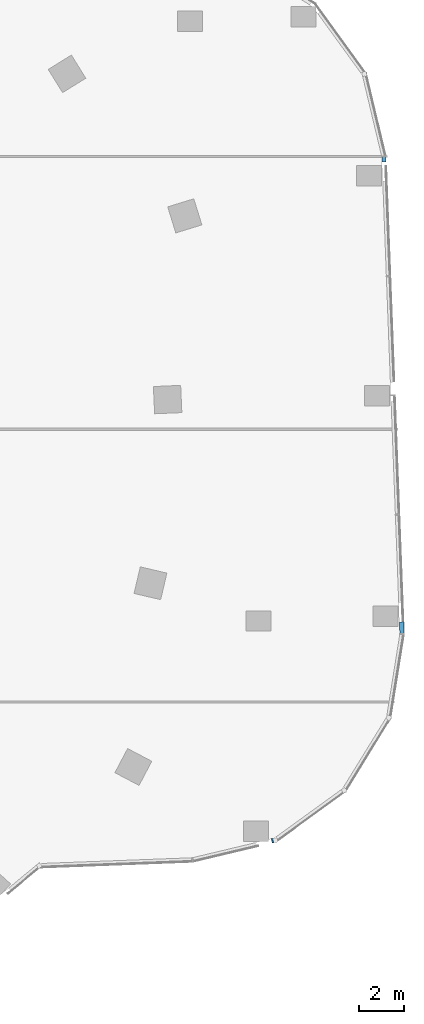
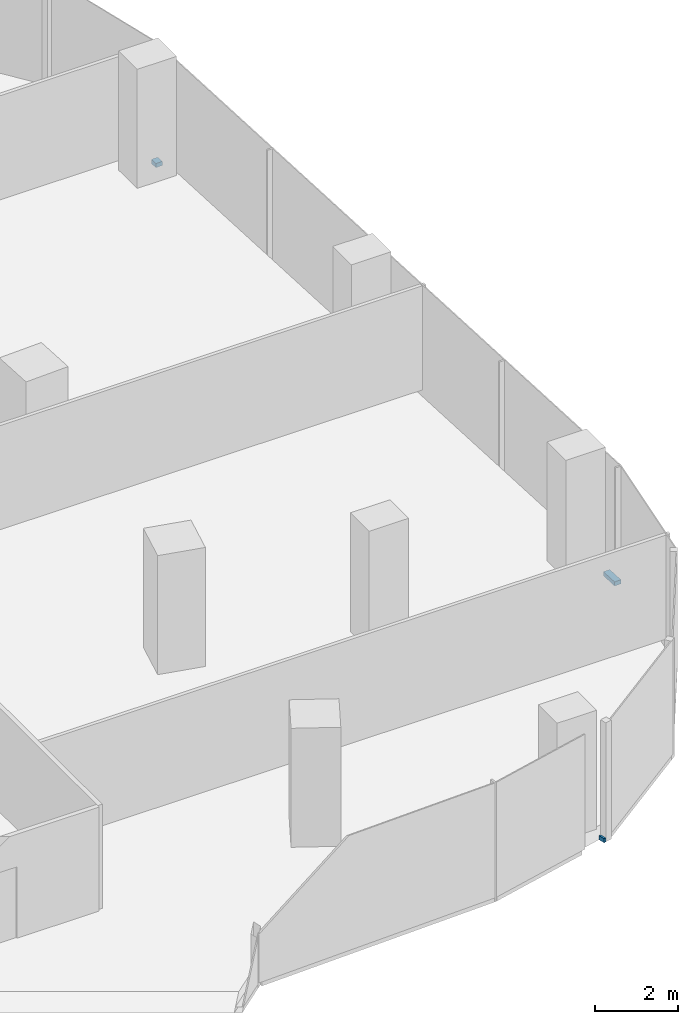
# One storey, part 13 of 24: 3 members, 2 elements without a shape of their own.
"""IFC4 building model written with IfcOpenShell, lengths in metres."""

import ifcopenshell
import ifcopenshell.guid

model = None  # the IFC model being written
_history = None  # IfcOwnerHistory: only IFC2X3 demands one
_inside = {}  # id of a spatial element -> (the spatial element, [elements in it])
_under = {}  # id of a project, library or spatial element -> (it, [spatial elements below it])
_declared = {}  # id of a project -> (the project, [libraries it declares])
_typed = {}  # id of a type object -> (the type object, [elements of that type])
_made_of = {}  # id of a material, layer set ... -> (it, [elements and type objects made of it])


def new_model(schema):
    """Start an empty IFC model of exactly this schema.

    Asked for "IFC4X3", IfcOpenShell would pick the latest addendum, in which some entities
    have other attributes; the version numbers below select the first issue.
    IFC2X3 requires an IfcOwnerHistory on every rooted entity: one is made here for all.
    """
    global model, _history
    if schema == "IFC4X3":
        model = ifcopenshell.file(schema_version=(4, 3, 0, 0))
    else:
        model = ifcopenshell.file(schema=schema)
    _inside.clear()
    _under.clear()
    _declared.clear()
    _typed.clear()
    _made_of.clear()
    _history = None
    if model.schema == "IFC2X3":
        org = make("IfcOrganization", Name="unknown")
        user = make(
            "IfcPersonAndOrganization",
            ThePerson=make("IfcPerson", FamilyName="unknown"),
            TheOrganization=org,
        )
        app = make(
            "IfcApplication",
            ApplicationDeveloper=org,
            Version="unknown",
            ApplicationFullName="unknown",
            ApplicationIdentifier="unknown",
        )
        _history = make(
            "IfcOwnerHistory",
            OwningUser=user,
            OwningApplication=app,
            ChangeAction="ADDED",
            CreationDate=0,
        )
    return model


def make(cls, **values):
    """One entity of the class cls with the attributes given. An attribute that is None is left unset."""
    return model.create_entity(
        cls, **{name: value for name, value in values.items() if value is not None}
    )


def rooted(cls, **values):
    """An entity with a GlobalId (a new one), such as an element, a storey or a relation."""
    return make(cls, GlobalId=ifcopenshell.guid.new(), OwnerHistory=_history, **values)


def si_unit(unit_type, name, prefix=None):
    """IfcSIUnit, for example si_unit("LENGTHUNIT", "METRE", prefix="MILLI")."""
    return make("IfcSIUnit", UnitType=unit_type, Prefix=prefix, Name=name)


def assignment(units):
    """IfcUnitAssignment: the units of a project."""
    return None if units is None else make("IfcUnitAssignment", Units=units)


def point(xyz):
    """IfcCartesianPoint."""
    return None if xyz is None else make("IfcCartesianPoint", Coordinates=xyz)


def direction(xyz):
    """IfcDirection."""
    return None if xyz is None else make("IfcDirection", DirectionRatios=xyz)


def frame(location, z_axis=None, x_axis=None):
    """IfcAxis2Placement3D, a coordinate frame: its origin and axes. An axis left out is left unset."""
    return make(
        "IfcAxis2Placement3D",
        Location=point(location),
        Axis=direction(z_axis),
        RefDirection=direction(x_axis),
    )


def frame_2d(location, x_axis=None):
    """IfcAxis2Placement2D, a coordinate frame in the plane: its origin and x axis."""
    return make(
        "IfcAxis2Placement2D", Location=point(location), RefDirection=direction(x_axis)
    )


def origin():
    """The frame at (0, 0, 0) with its axes left unset."""
    return frame((0.0, 0.0, 0.0))


def origin_2d():
    """The frame at (0, 0) in the plane with its x axis left unset."""
    return frame_2d((0.0, 0.0))


def place(relative_to, where):
    """IfcLocalPlacement: puts the frame where relative to a parent placement (None: the world)."""
    return make(
        "IfcLocalPlacement", PlacementRelTo=relative_to, RelativePlacement=where
    )


def context(
    kind, dimensions, precision=None, world=None, true_north=None, identifier=None
):
    """IfcGeometricRepresentationContext, for example the 3D "Model" context."""
    return make(
        "IfcGeometricRepresentationContext",
        ContextIdentifier=identifier,
        ContextType=kind,
        CoordinateSpaceDimension=dimensions,
        Precision=precision,
        WorldCoordinateSystem=world,
        TrueNorth=true_north,
    )


def subcontext(parent, identifier, kind, view, scale=None):
    """IfcGeometricRepresentationSubContext, for example "Body" below "Model"."""
    return make(
        "IfcGeometricRepresentationSubContext",
        ContextIdentifier=identifier,
        ContextType=kind,
        ParentContext=parent,
        TargetScale=scale,
        TargetView=view,
    )


def project(units=None, contexts=None):
    """IfcProject with its units and contexts."""
    return rooted(
        "IfcProject",
        Name="project",
        RepresentationContexts=contexts,
        UnitsInContext=assignment(units),
    )


def spatial(cls, under=None, at=None, **own):
    """A site, building, storey or space (cls), placed at a placement, below another one or the project."""
    s = rooted(cls, ObjectPlacement=at, **own)
    if under is not None:
        _under.setdefault(under.id(), (under, []))[1].append(s)
    return s


def profile(cls, at=None, kind="AREA", **sizes):
    """A parametric profile (cls). Its sizes go by their IFC names, for example OverallWidth=200.0."""
    return make(cls, ProfileType=kind, Position=at, **sizes)


def rectangle(**sizes):
    """IfcRectangleProfileDef."""
    return profile("IfcRectangleProfileDef", **sizes)


def extrude(swept, where, along, depth):
    """IfcExtrudedAreaSolid: the profile swept, set in the frame where, extruded along a direction by depth."""
    return make(
        "IfcExtrudedAreaSolid",
        SweptArea=swept,
        Position=where,
        ExtrudedDirection=direction(along),
        Depth=depth,
    )


def shape(context_of_items, identifier, shape_type, items):
    """IfcShapeRepresentation: the items that make up one representation, for example the "Body"."""
    return make(
        "IfcShapeRepresentation",
        ContextOfItems=context_of_items,
        RepresentationIdentifier=identifier,
        RepresentationType=shape_type,
        Items=items,
    )


def material(Name=None, Category=None):
    """IfcMaterial."""
    return make("IfcMaterial", Name=Name, Category=Category)


def material_profile(
    of_material, cross_section, Name=None, Category=None, Priority=None
):
    """IfcMaterialProfile: a cross section and its material."""
    return make(
        "IfcMaterialProfile",
        Name=Name,
        Material=of_material,
        Profile=cross_section,
        Priority=Priority,
        Category=Category,
    )


def profile_set(profiles, Name=None, composite=None):
    """IfcMaterialProfileSet."""
    return make(
        "IfcMaterialProfileSet",
        Name=Name,
        MaterialProfiles=profiles,
        CompositeProfile=composite,
    )


def made_of(thing, what):
    """Note that an element or type object is made of a material, layer set ...; save() writes the relation."""
    if what is not None:
        _made_of.setdefault(what.id(), (what, []))[1].append(thing)
    return thing


def type_object(cls, material=None, **own):
    """A type object (cls), such as IfcWallType, which elements share."""
    return made_of(rooted(cls, **own), material)


def element(
    cls,
    number,
    at=None,
    inside=None,
    cuts=None,
    type_object=None,
    material=None,
    context=None,
    identifier="Body",
    shape_type=None,
    held_by="IfcProductDefinitionShape",
    body=None,
    shapes=None,
    **own,
):
    """One element of the class cls, such as IfcWall. Its Tag is "e" and its number.

    at: its placement. inside: the storey or other place that contains it. cuts: it is an
    opening in that element (IfcRelVoidsElement). A single representation is given by context,
    identifier, shape_type and body (its items); several are given by shapes. held_by: the class
    of the entity that holds the representations. save() writes the other relations.
    """
    e = rooted(cls, Tag="e%d" % number, ObjectPlacement=at, **own)
    if body is not None:
        shapes = [shape(context, identifier, shape_type, body)]
    if shapes is not None:
        e.Representation = make(held_by, Representations=shapes)
    if inside is not None:
        _inside.setdefault(inside.id(), (inside, []))[1].append(e)
    if cuts is not None:
        rooted(
            "IfcRelVoidsElement", RelatingBuildingElement=cuts, RelatedOpeningElement=e
        )
    if type_object is not None:
        _typed.setdefault(type_object.id(), (type_object, []))[1].append(e)
    return made_of(e, material)


def aggregate(whole, parts):
    """IfcRelAggregates: a whole, such as a stair, and the parts it consists of."""
    return rooted("IfcRelAggregates", RelatingObject=whole, RelatedObjects=parts)


def save(model, path):
    """Write the relations noted so far, then the file.

    IfcRelAggregates (storeys below a building ...), IfcRelContainedInSpatialStructure (elements
    in a storey), IfcRelDefinesByType, IfcRelAssociatesMaterial and IfcRelDeclares: one each for
    every whole, place, type object, material and project.
    """
    for whole, parts in _under.values():
        aggregate(whole, parts)
    for where, things in _inside.values():
        rooted(
            "IfcRelContainedInSpatialStructure",
            RelatedElements=things,
            RelatingStructure=where,
        )
    for kind, things in _typed.values():
        rooted("IfcRelDefinesByType", RelatedObjects=things, RelatingType=kind)
    for what, things in _made_of.values():
        rooted("IfcRelAssociatesMaterial", RelatedObjects=things, RelatingMaterial=what)
    for by, libraries in _declared.values():
        rooted("IfcRelDeclares", RelatingContext=by, RelatedDefinitions=libraries)
    model.write(path)


model = new_model("IFC4")

# Units and contexts
model_context = context("Model", 3, precision=1e-05, world=origin(), true_north=direction((0.0, 1.0)))
body_context = subcontext(model_context, "Body", "Model", "MODEL_VIEW")
ifc_project = project(units=[si_unit("LENGTHUNIT", "METRE"), si_unit("AREAUNIT", "SQUARE_METRE"), si_unit("VOLUMEUNIT", "CUBIC_METRE"), si_unit("PLANEANGLEUNIT", "RADIAN"), si_unit("MASSUNIT", "GRAM", prefix="KILO")], contexts=[model_context])

# Site, building, storey
site_placement = place(None, origin())
site = spatial("IfcSite", under=ifc_project, at=site_placement, CompositionType="ELEMENT")
building_placement = place(site_placement, origin())
building = spatial("IfcBuilding", under=site, at=building_placement, Name="Orlundy Tower", CompositionType="ELEMENT")
storey_placement = place(building_placement, frame((0.0, 0.0, 170.60009765625)))
storey = spatial("IfcBuildingStorey", under=building, at=storey_placement, Name="L44", CompositionType="ELEMENT", Elevation=170.60009765625)

# Curtain wall, members
ifc_material_1 = material(Name="Aluminium bronze anodised", Category="aluminium")
curtain_wall_type = type_object("IfcCurtainWallType", Name="CW1 wall", PredefinedType="NOTDEFINED", material=ifc_material_1)
curtain_wall_1_placement = place(storey_placement, origin())
curtain_wall_1 = element("IfcCurtainWall", 1, at=curtain_wall_1_placement, inside=storey, type_object=curtain_wall_type, Name="CW1 run 011", PredefinedType="NOTDEFINED")
ifc_material_2 = material(Name="Aluminium bronze anodised", Category="aluminium")
ifc_material_profile = material_profile(ifc_material_2, rectangle(XDim=0.179931640625, YDim=0.1201171875, at=origin_2d()), Name="CW1 transom 180x120")
ifc_profile_set = profile_set([ifc_material_profile], Name="Aluminium bronze anodised")
member_type = type_object("IfcMemberType", Name="CW1 transom 180x120", PredefinedType="USERDEFINED", material=ifc_profile_set)
member_1_placement = place(storey_placement, frame((39.16552734375, 11.97314453125, -0.360107421875), z_axis=(0.03847790186, -0.999259451328, 0.0), x_axis=(0.999259451328, 0.03847790186, 0.0)))
member_1 = element("IfcMember", 2, at=member_1_placement, type_object=member_type, Name="CW1 transom", ObjectType="TRANSOM", PredefinedType="USERDEFINED", context=body_context, shape_type="SweptSolid", body=[
    extrude(rectangle(XDim=0.179931640625, YDim=0.1201171875, at=origin_2d()), origin(), (0.0, 0.0, 1.0), 0.20947265625),
])
member_2_placement = place(storey_placement, frame((39.93896484375, -8.46875, -0.360107421875), z_axis=(0.037754030575, -0.999287062448, 0.0), x_axis=(0.999287062448, 0.037754030575, 0.0)))
member_2 = element("IfcMember", 3, at=member_2_placement, type_object=member_type, Name="CW1 transom", ObjectType="TRANSOM", PredefinedType="USERDEFINED", context=body_context, shape_type="SweptSolid", body=[
    extrude(rectangle(XDim=0.179931640625, YDim=0.1201171875, at=origin_2d()), origin(), (0.0, 0.0, 1.0), 0.5107421875),
])
aggregate(curtain_wall_1, [member_1, member_2])

# Curtain wall, member
curtain_wall_2_placement = place(storey_placement, origin())
curtain_wall_2 = element("IfcCurtainWall", 4, at=curtain_wall_2_placement, inside=storey, type_object=curtain_wall_type, Name="CW1 run 015", PredefinedType="NOTDEFINED")
member_3_placement = place(storey_placement, frame((34.290771484375, -18.09521484375, -0.360107421875), z_axis=(-0.972115733093, -0.234501602281, 0.0), x_axis=(0.234501602281, -0.972115733093, 0.0)))
member_3 = element("IfcMember", 5, at=member_3_placement, type_object=member_type, Name="CW1 transom", ObjectType="TRANSOM", PredefinedType="USERDEFINED", context=body_context, shape_type="SweptSolid", body=[
    extrude(rectangle(XDim=0.179931640625, YDim=0.1201171875, at=origin_2d()), origin(), (0.0, 0.0, 1.0), 0.057373046875),
])
aggregate(curtain_wall_2, [member_3])

save(model, "model.ifc")
